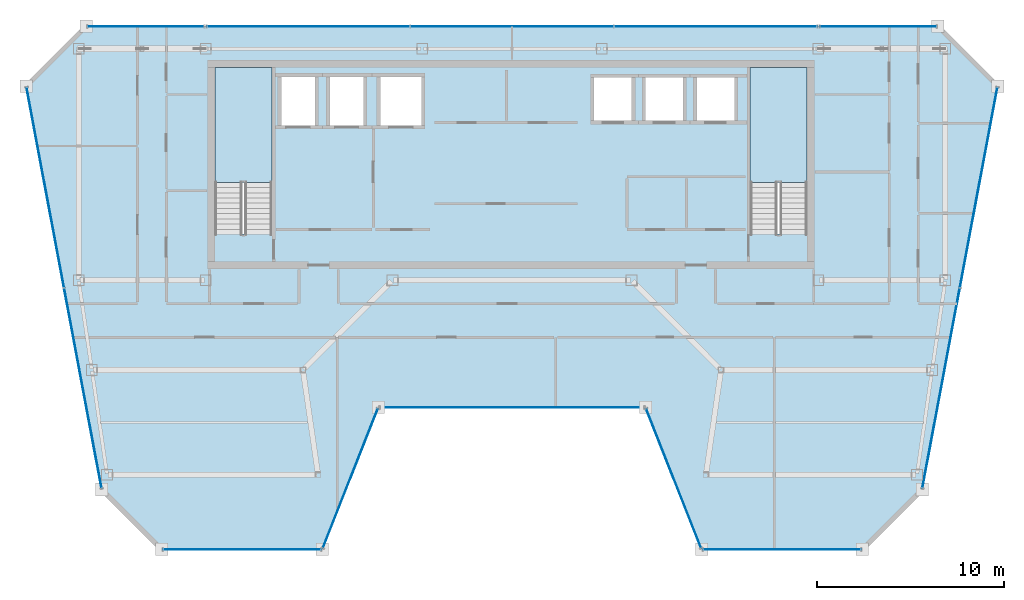
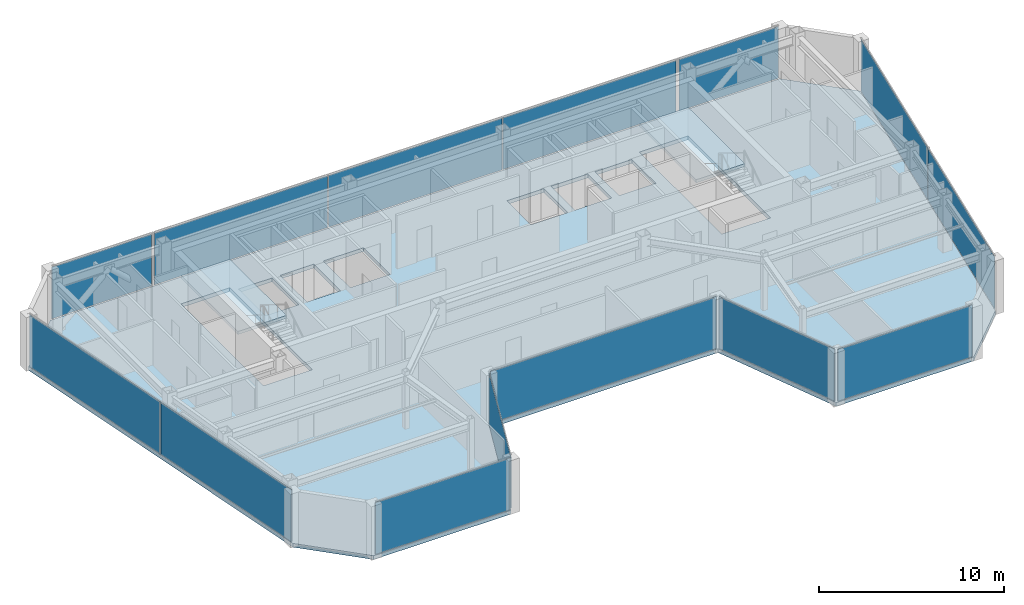
# One storey, part 17 of 22: 14 plates, 3 slabs, 12 elements without a shape of their own.
"""IFC4 building model written with IfcOpenShell, lengths in metres."""

from ifc_helpers import new_model, si_unit, direction, frame, origin, origin_2d, place, context, subcontext, project, spatial, polyline, rectangle, outline, extrude, material, layer, layer_set, type_object, element, aggregate, save


model = new_model("IFC4")

# Units and contexts
model_context = context("Model", 3, precision=1e-05, world=origin(), true_north=direction((0.0, 1.0)))
body_context = subcontext(model_context, "Body", "Model", "MODEL_VIEW")
ifc_project = project(units=[si_unit("LENGTHUNIT", "METRE"), si_unit("AREAUNIT", "SQUARE_METRE"), si_unit("VOLUMEUNIT", "CUBIC_METRE"), si_unit("PLANEANGLEUNIT", "RADIAN"), si_unit("MASSUNIT", "GRAM", prefix="KILO")], contexts=[model_context])

# Site, building, storey
site_placement = place(None, origin())
site = spatial("IfcSite", under=ifc_project, at=site_placement, CompositionType="ELEMENT")
building_placement = place(site_placement, origin())
building = spatial("IfcBuilding", under=site, at=building_placement, Name="Saevonmaru Cultural Tower", CompositionType="ELEMENT")
storey_placement = place(building_placement, frame((0.0, 0.0, 287.60009765625)))
storey = spatial("IfcBuildingStorey", under=building, at=storey_placement, Name="L68", CompositionType="ELEMENT", Elevation=287.60009765625)

# Curtain wall, plate
ifc_material_1 = material(Name="Satin Bronze Anodised Aluminium", Category="aluminium")
curtain_wall_type = type_object("IfcCurtainWallType", Name="CW-TYP-B", PredefinedType="NOTDEFINED", material=ifc_material_1)
curtain_wall_1_placement = place(storey_placement, origin())
curtain_wall_1 = element("IfcCurtainWall", 1, at=curtain_wall_1_placement, inside=storey, type_object=curtain_wall_type, Name="L68 Unitised Curtain Wall E2", PredefinedType="NOTDEFINED")
ifc_material_2 = material(Name="Triple Silver Low-E Insulating Glass", Category="glass")
ifc_layer_1 = layer(ifc_material_2, 0.035888671875, Name="Triple Silver Low-E Insulating Glass")
ifc_layer_set_1 = layer_set([ifc_layer_1], Name="Triple Silver Low-E Insulating Glass")
plate_type_1 = type_object("IfcPlateType", Name="PN-GLZ-IGU", PredefinedType="CURTAIN_PANEL", material=ifc_layer_set_1)
plate_1_placement = place(storey_placement, frame((15.54443359375, 28.0, 0.06689453125), z_axis=(0.0, 0.0, 1.0), x_axis=(1.0, 0.0, 0.0)))
plate_1 = element("IfcPlate", 2, at=plate_1_placement, type_object=plate_type_1, Name="CW-TW-L68-E2 panel 1.1", PredefinedType="CURTAIN_PANEL", context=body_context, shape_type="SweptSolid", body=[
    extrude(rectangle(XDim=8.410888671875, YDim=0.035888671875, at=origin_2d()), origin(), (0.0, 0.0, 1.0), 3.416015625),
])
aggregate(curtain_wall_1, [plate_1])

curtain_wall_2_placement = place(storey_placement, origin())
curtain_wall_2 = element("IfcCurtainWall", 3, at=curtain_wall_2_placement, inside=storey, type_object=curtain_wall_type, Name="L68 Unitised Curtain Wall E3", PredefinedType="NOTDEFINED")
plate_2_placement = place(storey_placement, frame((21.344482421875, 31.800048828125, 0.06689453125), z_axis=(0.0, 0.0, 1.0), x_axis=(0.367172185578, 0.930152990716, 0.0)))
plate_2 = element("IfcPlate", 4, at=plate_2_placement, type_object=plate_type_1, Name="CW-TW-L68-E3 panel 1.1", PredefinedType="CURTAIN_PANEL", context=body_context, shape_type="SweptSolid", body=[
    extrude(rectangle(XDim=7.981689453125, YDim=0.035888671875, at=origin_2d()), origin(), (0.0, 0.0, 1.0), 3.416015625),
])
aggregate(curtain_wall_2, [plate_2])

curtain_wall_3_placement = place(storey_placement, origin())
curtain_wall_3 = element("IfcCurtainWall", 5, at=curtain_wall_3_placement, inside=storey, type_object=curtain_wall_type, Name="L68 Unitised Curtain Wall E4", PredefinedType="NOTDEFINED")
plate_3_placement = place(storey_placement, frame((30.0, 35.60009765625, 0.06689453125), z_axis=(0.0, 0.0, 1.0), x_axis=(1.0, 0.0, 0.0)))
plate_3 = element("IfcPlate", 6, at=plate_3_placement, type_object=plate_type_1, Name="CW-TW-L68-E4 panel 1.1", PredefinedType="CURTAIN_PANEL", context=body_context, shape_type="SweptSolid", body=[
    extrude(rectangle(XDim=14.122314453125, YDim=0.035888671875, at=origin_2d()), origin(), (0.0, 0.0, 1.0), 3.416015625),
])
aggregate(curtain_wall_3, [plate_3])

curtain_wall_4_placement = place(storey_placement, origin())
curtain_wall_4 = element("IfcCurtainWall", 7, at=curtain_wall_4_placement, inside=storey, type_object=curtain_wall_type, Name="L68 Unitised Curtain Wall E5", PredefinedType="NOTDEFINED")
plate_4_placement = place(storey_placement, frame((38.655517578125, 31.800048828125, 0.06689453125), z_axis=(0.0, 0.0, 1.0), x_axis=(0.367172185578, -0.930152990716, 0.0)))
plate_4 = element("IfcPlate", 8, at=plate_4_placement, type_object=plate_type_1, Name="CW-TW-L68-E5 panel 1.1", PredefinedType="CURTAIN_PANEL", context=body_context, shape_type="SweptSolid", body=[
    extrude(rectangle(XDim=7.981689453125, YDim=0.035888671875, at=origin_2d()), origin(), (0.0, 0.0, 1.0), 3.416015625),
])
aggregate(curtain_wall_4, [plate_4])

curtain_wall_5_placement = place(storey_placement, origin())
curtain_wall_5 = element("IfcCurtainWall", 9, at=curtain_wall_5_placement, inside=storey, type_object=curtain_wall_type, Name="L68 Unitised Curtain Wall E6", PredefinedType="NOTDEFINED")
plate_5_placement = place(storey_placement, frame((44.45556640625, 28.0, 0.06689453125), z_axis=(0.0, 0.0, 1.0), x_axis=(1.0, 0.0, 0.0)))
plate_5 = element("IfcPlate", 10, at=plate_5_placement, type_object=plate_type_1, Name="CW-TW-L68-E6 panel 1.1", PredefinedType="CURTAIN_PANEL", context=body_context, shape_type="SweptSolid", body=[
    extrude(rectangle(XDim=8.410888671875, YDim=0.035888671875, at=origin_2d()), origin(), (0.0, 0.0, 1.0), 3.416015625),
])
aggregate(curtain_wall_5, [plate_5])

# Curtain wall, plates
curtain_wall_6_placement = place(storey_placement, origin())
curtain_wall_6 = element("IfcCurtainWall", 11, at=curtain_wall_6_placement, inside=storey, type_object=curtain_wall_type, Name="L68 Unitised Curtain Wall E8", PredefinedType="NOTDEFINED")
plate_6_placement = place(storey_placement, frame((52.97216796875, 36.62939453125, 0.06689453125), z_axis=(0.0, 0.0, 1.0), x_axis=(0.184046528232, 0.982917532373, 0.0)))
plate_6 = element("IfcPlate", 12, at=plate_6_placement, type_object=plate_type_1, Name="CW-TW-L68-E8 panel 1.1", PredefinedType="CURTAIN_PANEL", context=body_context, shape_type="SweptSolid", body=[
    extrude(rectangle(XDim=10.858642578125, YDim=0.035888671875, at=origin_2d()), origin(), (0.0, 0.0, 1.0), 3.416015625),
])
plate_7_placement = place(storey_placement, frame((54.9833984375, 47.37060546875, 0.06689453125), z_axis=(0.0, 0.0, 1.0), x_axis=(0.184046528232, 0.982917532373, 0.0)))
plate_7 = element("IfcPlate", 13, at=plate_7_placement, type_object=plate_type_1, Name="CW-TW-L68-E8 panel 2.1", PredefinedType="CURTAIN_PANEL", context=body_context, shape_type="SweptSolid", body=[
    extrude(rectangle(XDim=10.858642578125, YDim=0.035888671875, at=origin_2d()), origin(), (0.0, 0.0, 1.0), 3.416015625),
])
aggregate(curtain_wall_6, [plate_6, plate_7])

curtain_wall_7_placement = place(storey_placement, origin())
curtain_wall_7 = element("IfcCurtainWall", 14, at=curtain_wall_7_placement, inside=storey, type_object=curtain_wall_type, Name="L68 North Spine Unitised Curtain Wall E10B", PredefinedType="NOTDEFINED")
plate_8_placement = place(storey_placement, frame((40.893310546875, 56.0, 0.06689453125), z_axis=(0.0, 0.0, 1.0), x_axis=(-1.0, 0.0, 0.0)))
plate_8 = element("IfcPlate", 15, at=plate_8_placement, type_object=plate_type_1, Name="CW-TW-L68-E10B panel 1.1", PredefinedType="CURTAIN_PANEL", context=body_context, shape_type="SweptSolid", body=[
    extrude(rectangle(XDim=10.82421875, YDim=0.035888671875, at=origin_2d()), origin(), (0.0, 0.0, 1.0), 3.416015625),
])
plate_9_placement = place(storey_placement, frame((30.0, 56.0, 0.06689453125), z_axis=(0.0, 0.0, 1.0), x_axis=(-1.0, 0.0, 0.0)))
plate_9 = element("IfcPlate", 16, at=plate_9_placement, type_object=plate_type_1, Name="CW-TW-L68-E10B panel 2.1", PredefinedType="CURTAIN_PANEL", context=body_context, shape_type="SweptSolid", body=[
    extrude(rectangle(XDim=10.82421875, YDim=0.035888671875, at=origin_2d()), origin(), (0.0, 0.0, 1.0), 3.416015625),
])
plate_10_placement = place(storey_placement, frame((19.106689453125, 56.0, 0.06689453125), z_axis=(0.0, 0.0, 1.0), x_axis=(-1.0, 0.0, 0.0)))
plate_10 = element("IfcPlate", 17, at=plate_10_placement, type_object=plate_type_1, Name="CW-TW-L68-E10B panel 3.1", PredefinedType="CURTAIN_PANEL", context=body_context, shape_type="SweptSolid", body=[
    extrude(rectangle(XDim=10.82421875, YDim=0.035888671875, at=origin_2d()), origin(), (0.0, 0.0, 1.0), 3.416015625),
])
aggregate(curtain_wall_7, [plate_8, plate_9, plate_10])

curtain_wall_8_placement = place(storey_placement, origin())
curtain_wall_8 = element("IfcCurtainWall", 18, at=curtain_wall_8_placement, inside=storey, type_object=curtain_wall_type, Name="L68 Unitised Curtain Wall E12", PredefinedType="NOTDEFINED")
plate_11_placement = place(storey_placement, frame((5.0166015625, 47.37060546875, 0.06689453125), z_axis=(0.0, 0.0, 1.0), x_axis=(0.184046528232, -0.982917532373, 0.0)))
plate_11 = element("IfcPlate", 19, at=plate_11_placement, type_object=plate_type_1, Name="CW-TW-L68-E12 panel 1.1", PredefinedType="CURTAIN_PANEL", context=body_context, shape_type="SweptSolid", body=[
    extrude(rectangle(XDim=10.858642578125, YDim=0.035888671875, at=origin_2d()), origin(), (0.0, 0.0, 1.0), 3.416015625),
])
plate_12_placement = place(storey_placement, frame((7.02783203125, 36.62939453125, 0.06689453125), z_axis=(0.0, 0.0, 1.0), x_axis=(0.184046528232, -0.982917532373, 0.0)))
plate_12 = element("IfcPlate", 20, at=plate_12_placement, type_object=plate_type_1, Name="CW-TW-L68-E12 panel 2.1", PredefinedType="CURTAIN_PANEL", context=body_context, shape_type="SweptSolid", body=[
    extrude(rectangle(XDim=10.858642578125, YDim=0.035888671875, at=origin_2d()), origin(), (0.0, 0.0, 1.0), 3.416015625),
])
aggregate(curtain_wall_8, [plate_11, plate_12])

# Curtain wall, plate
curtain_wall_9_placement = place(storey_placement, origin())
curtain_wall_9 = element("IfcCurtainWall", 21, at=curtain_wall_9_placement, inside=storey, type_object=curtain_wall_type, Name="L68 East Braced Bay Spandrel Curtain Wall E10A", PredefinedType="NOTDEFINED")
ifc_material_3 = material(Name="Insulated Satin Bronze Aluminium Spandrel Panel", Category="aluminium")
ifc_layer_2 = layer(ifc_material_3, 0.0400390625, Name="Insulated Satin Bronze Aluminium Spandrel Panel")
ifc_layer_set_2 = layer_set([ifc_layer_2], Name="Insulated Satin Bronze Aluminium Spandrel Panel")
plate_type_2 = type_object("IfcPlateType", Name="PN-SPANDREL-BRONZE", PredefinedType="CURTAIN_PANEL", material=ifc_layer_set_2)
plate_13_placement = place(storey_placement, frame((49.60009765625, 56.0, 0.06689453125), z_axis=(0.0, 0.0, 1.0), x_axis=(-1.0, 0.0, 0.0)))
plate_13 = element("IfcPlate", 22, at=plate_13_placement, type_object=plate_type_2, Name="CW-TW-L68-E10A panel 1.1", PredefinedType="CURTAIN_PANEL", context=body_context, shape_type="SweptSolid", body=[
    extrude(rectangle(XDim=6.2109375, YDim=0.035888671875, at=origin_2d()), origin(), (0.0, 0.0, 1.0), 3.416015625),
])
aggregate(curtain_wall_9, [plate_13])

curtain_wall_10_placement = place(storey_placement, origin())
curtain_wall_10 = element("IfcCurtainWall", 23, at=curtain_wall_10_placement, inside=storey, type_object=curtain_wall_type, Name="L68 West Braced Bay Spandrel Curtain Wall E10C", PredefinedType="NOTDEFINED")
plate_14_placement = place(storey_placement, frame((10.39990234375, 56.0, 0.06689453125), z_axis=(0.0, 0.0, 1.0), x_axis=(-1.0, 0.0, 0.0)))
plate_14 = element("IfcPlate", 24, at=plate_14_placement, type_object=plate_type_2, Name="CW-TW-L68-E10C panel 1.1", PredefinedType="CURTAIN_PANEL", context=body_context, shape_type="SweptSolid", body=[
    extrude(rectangle(XDim=6.2109375, YDim=0.035888671875, at=origin_2d()), origin(), (0.0, 0.0, 1.0), 3.416015625),
])
aggregate(curtain_wall_10, [plate_14])

# Slab
ifc_material_4 = material(Name="Concrete C40/50", Category="concrete")
ifc_layer_3 = layer(ifc_material_4, 0.25, Name="Concrete C40/50")
ifc_layer_set_3 = layer_set([ifc_layer_3], Name="Concrete C40/50")
slab_type_1 = type_object("IfcSlabType", Name="SL-FLR-250", PredefinedType="FLOOR", material=ifc_layer_set_3)
slab_1_placement = place(storey_placement, frame((0.0, 0.0, -0.25)))
element("IfcSlab", 25, at=slab_1_placement, inside=storey, type_object=slab_type_1, Name="L68 Tower Structural Floor Slab", PredefinedType="FLOOR", context=body_context, shape_type="SweptSolid", body=[
    extrude(outline(polyline([(8.04443359375, 31.199951171875), (11.244384765625, 28.0), (19.844482421875, 28.0), (22.844482421875, 35.60009765625), (37.155517578125, 35.60009765625), (40.155517578125, 28.0), (48.755615234375, 28.0), (51.95556640625, 31.199951171875), (56.0, 52.800048828125), (52.800048828125, 56.0), (7.199951171875, 56.0), (4.0, 52.800048828125), (8.04443359375, 31.199951171875)]), holes=[polyline([(45.800048828125, 53.800048828125), (45.800048828125, 44.875), (42.75, 44.875), (42.75, 53.800048828125), (45.800048828125, 53.800048828125)]), polyline([(42.050048828125, 50.800048828125), (39.75, 50.800048828125), (39.75, 53.39990234375), (42.050048828125, 53.39990234375), (42.050048828125, 50.800048828125)]), polyline([(39.300048828125, 50.800048828125), (37.0, 50.800048828125), (37.0, 53.39990234375), (39.300048828125, 53.39990234375), (39.300048828125, 50.800048828125)]), polyline([(36.550048828125, 50.800048828125), (34.25, 50.800048828125), (34.25, 53.39990234375), (36.550048828125, 53.39990234375), (36.550048828125, 50.800048828125)]), polyline([(25.300048828125, 50.550048828125), (22.800048828125, 50.550048828125), (22.800048828125, 53.449951171875), (25.300048828125, 53.449951171875), (25.300048828125, 50.550048828125)]), polyline([(22.199951171875, 50.550048828125), (20.10009765625, 50.550048828125), (20.10009765625, 53.449951171875), (22.199951171875, 53.449951171875), (22.199951171875, 50.550048828125)]), polyline([(19.60009765625, 50.550048828125), (17.5, 50.550048828125), (17.5, 53.449951171875), (19.60009765625, 53.449951171875), (19.60009765625, 50.550048828125)]), polyline([(17.14990234375, 53.800048828125), (17.14990234375, 44.875), (14.10009765625, 44.875), (14.10009765625, 53.800048828125), (17.14990234375, 53.800048828125)])]), origin(), (0.0, 0.0, 1.0), 0.25),
])

# Stair, slab
stair_type = type_object("IfcStairType", Name="STR-DOGLEG-RC", PredefinedType="HALF_TURN_STAIR", material=ifc_material_4)
stair_1_placement = place(storey_placement, origin())
stair_1 = element("IfcStair", 26, at=stair_1_placement, inside=storey, type_object=stair_type, Name="L68 Protected exit stair ST-1", PredefinedType="HALF_TURN_STAIR")
ifc_layer_4 = layer(ifc_material_4, 0.199951171875, Name="Concrete C40/50")
ifc_layer_set_4 = layer_set([ifc_layer_4], Name="Concrete C40/50")
slab_type_2 = type_object("IfcSlabType", Name="SL-STAIR-LANDING", PredefinedType="LANDING", material=ifc_layer_set_4)
slab_2_placement = place(storey_placement, frame((0.0, 0.0, 1.699951171875)))
slab_2 = element("IfcSlab", 27, at=slab_2_placement, type_object=slab_type_2, Name="ST-1-L68 landing 1", PredefinedType="LANDING", context=body_context, shape_type="SweptSolid", body=[
    extrude(outline(polyline([(17.14990234375, 47.64990234375), (17.14990234375, 53.800048828125), (14.10009765625, 53.800048828125), (14.10009765625, 47.64990234375), (17.14990234375, 47.64990234375)])), origin(), (0.0, 0.0, 1.0), 0.199951171875),
])
aggregate(stair_1, [slab_2])

stair_2_placement = place(storey_placement, origin())
stair_2 = element("IfcStair", 28, at=stair_2_placement, inside=storey, type_object=stair_type, Name="L68 Protected exit stair ST-2", PredefinedType="HALF_TURN_STAIR")
slab_3_placement = place(storey_placement, frame((0.0, 0.0, 1.699951171875)))
slab_3 = element("IfcSlab", 29, at=slab_3_placement, type_object=slab_type_2, Name="ST-2-L68 landing 1", PredefinedType="LANDING", context=body_context, shape_type="SweptSolid", body=[
    extrude(outline(polyline([(45.800048828125, 47.64990234375), (45.800048828125, 53.800048828125), (42.75, 53.800048828125), (42.75, 47.64990234375), (45.800048828125, 47.64990234375)])), origin(), (0.0, 0.0, 1.0), 0.199951171875),
])
aggregate(stair_2, [slab_3])

save(model, "model.ifc")
